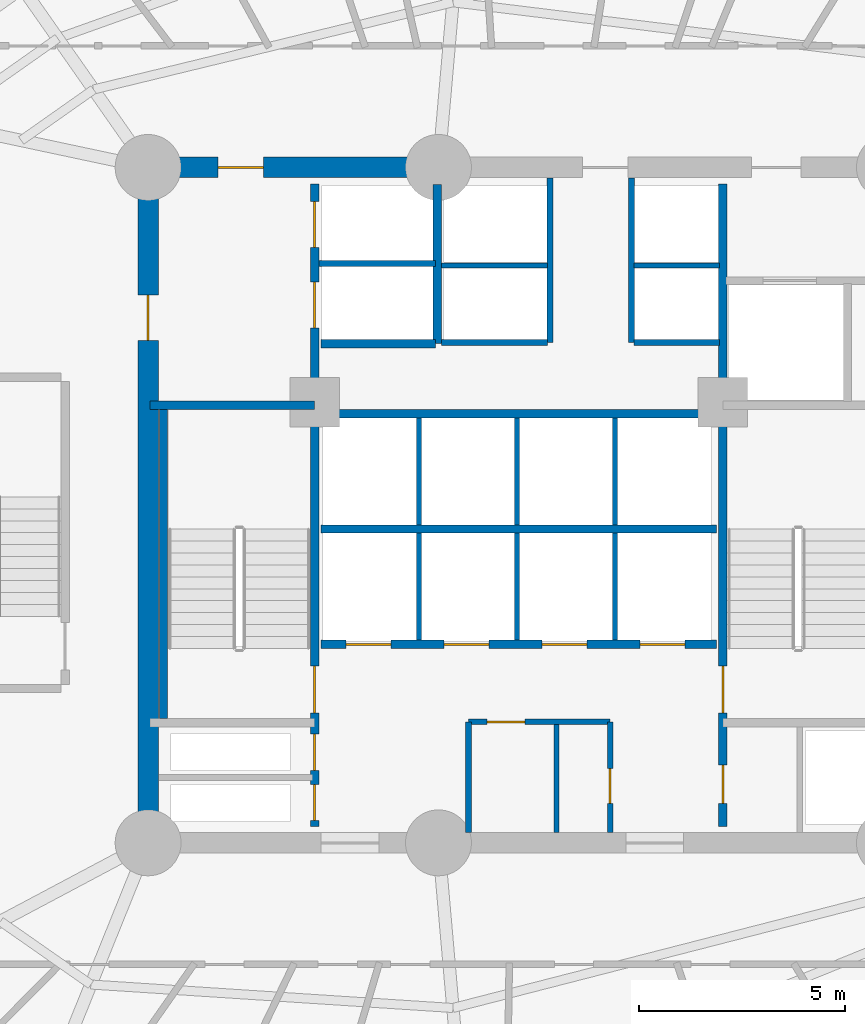
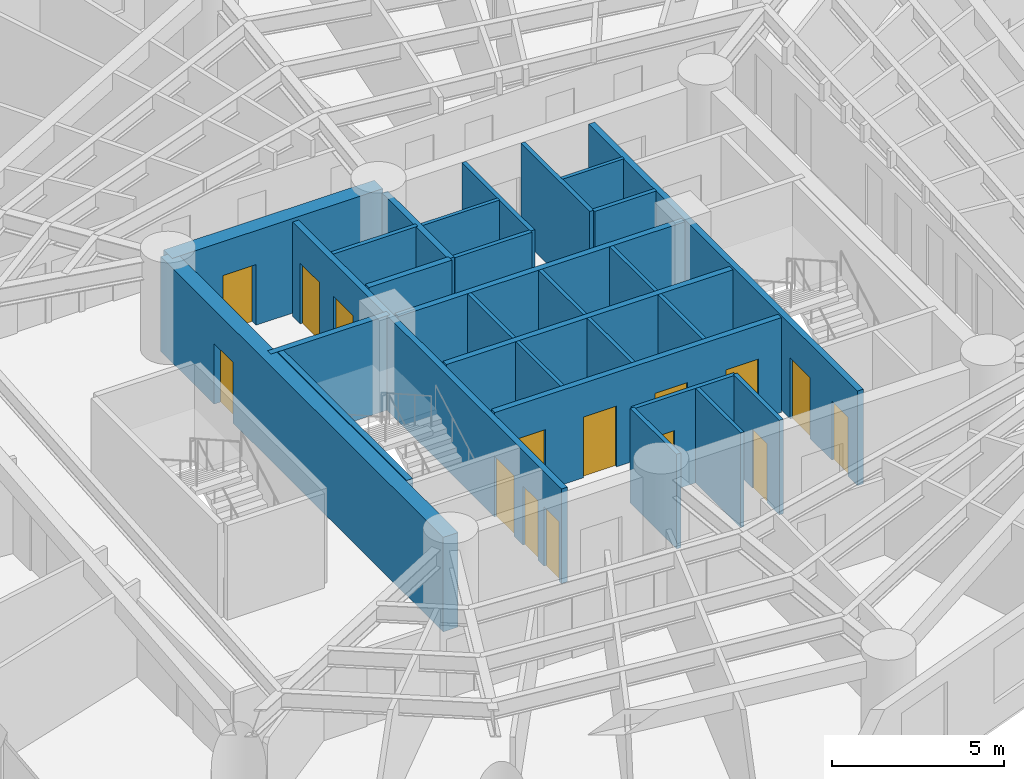
# One storey, part 4 of 8: 28 walls, 15 doors, 15 openings.
"""IFC4 building model written with IfcOpenShell, lengths in metres."""

from ifc_helpers import new_model, si_unit, direction, frame, frame_2d, origin, origin_with_axes, place, context, subcontext, project, spatial, rectangle, extrude, source, transform, mapped, material, layer, layer_set, type_object, element, fill, save


model = new_model("IFC4")

# Units and contexts
model_context = context("Model", 3, precision=1e-05, world=origin(), true_north=direction((0.0, 1.0)))
body_context = subcontext(model_context, "Body", "Model", "MODEL_VIEW")
ifc_project = project(units=[si_unit("LENGTHUNIT", "METRE"), si_unit("AREAUNIT", "SQUARE_METRE"), si_unit("VOLUMEUNIT", "CUBIC_METRE"), si_unit("PLANEANGLEUNIT", "RADIAN"), si_unit("MASSUNIT", "GRAM", prefix="KILO")], contexts=[model_context])

# Site, building, storey
site_placement = place(None, origin())
site = spatial("IfcSite", under=ifc_project, at=site_placement, CompositionType="ELEMENT")
building_placement = place(site_placement, origin())
building = spatial("IfcBuilding", under=site, at=building_placement, Name="Karkom Vertical University and Central Library", CompositionType="ELEMENT")
storey_placement = place(building_placement, frame((0.0, 0.0, 37.300048828125)))
storey = spatial("IfcBuildingStorey", under=building, at=storey_placement, Name="L09", CompositionType="ELEMENT", Elevation=37.300048828125)

# Walls
ifc_material_1 = material(Name="Moisture-resistant drywall 120mm", Category="gypsum")
ifc_layer_1 = layer(ifc_material_1, 0.1201171875)
ifc_layer_set_1 = layer_set([ifc_layer_1], Name="Moisture-resistant drywall 120mm")
wall_type_1 = type_object("IfcWallType", Name="INT-WL-INT-120", PredefinedType="PARTITIONING", material=ifc_layer_set_1)
wall_1_placement = place(storey_placement, frame((29.419921875, 18.556884765625, 0.0), z_axis=(0.0, 0.0, 1.0), x_axis=(0.0, 1.0, 0.0)))
element("IfcWall", 1, at=wall_1_placement, inside=storey, type_object=wall_type_1, Name="Level 09 Interior Partition Wall Level 09-CW-K3-DIV", PredefinedType="PARTITIONING", context=body_context, shape_type="SweptSolid", body=[
    extrude(rectangle(XDim=2.611083984375, YDim=0.1201171875, at=frame_2d((1.3056640625, 0.0))), origin(), (0.0, 0.0, 1.0), 3.349853515625),
])
ifc_layer_2 = layer(ifc_material_1, 0.1201171875)
ifc_layer_set_2 = layer_set([ifc_layer_2], Name="Moisture-resistant drywall 120mm")
wall_type_2 = type_object("IfcWallType", Name="INT-WL-INT-120H", PredefinedType="PARTITIONING", material=ifc_layer_set_2)
for number, where, z_axis, x_axis, name in (
    (2, (26.080078125, 23.219970703125, 0.0), (0.0, 0.0, 1.0), (0.0, 1.0, 0.0), "Level 09 Interior Partition Wall Level 09-CW-PL-DIV1"),
    (3, (28.4599609375, 23.219970703125, 0.0), (0.0, 0.0, 1.0), (0.0, 1.0, 0.0), "Level 09 Interior Partition Wall Level 09-CW-PL-DIV2"),
    (4, (30.840087890625, 23.219970703125, 0.0), (0.0, 0.0, 1.0), (0.0, 1.0, 0.0), "Level 09 Interior Partition Wall Level 09-CW-PL-DIV3"),
    (5, (26.080078125, 26.02001953125, 0.0), (0.0, 0.0, 1.0), (0.0, 1.0, 0.0), "Level 09 Interior Partition Wall Level 09-CW-PM-DIV1"),
    (6, (28.4599609375, 26.02001953125, 0.0), (0.0, 0.0, 1.0), (0.0, 1.0, 0.0), "Level 09 Interior Partition Wall Level 09-CW-PM-DIV2"),
    (7, (30.840087890625, 26.02001953125, 0.0), (0.0, 0.0, 1.0), (0.0, 1.0, 0.0), "Level 09 Interior Partition Wall Level 09-CW-PM-DIV3"),
):
    element("IfcWall", number, at=place(storey_placement, frame(where, z_axis=z_axis, x_axis=x_axis)), inside=storey, type_object=wall_type_2, Name=name, PredefinedType="PARTITIONING", context=body_context, shape_type="SweptSolid", body=[
        extrude(rectangle(XDim=2.60009765625, YDim=0.1201171875, at=frame_2d((1.300048828125, 0.0))), origin(), (0.0, 0.0, 1.0), 3.349853515625),
    ])
wall_2_placement = place(storey_placement, frame((26.6201171875, 32.320068359375, 0.0), z_axis=(0.0, 0.0, 1.0), x_axis=(1.0, 0.0, 0.0)))
element("IfcWall", 8, at=wall_2_placement, inside=storey, type_object=wall_type_2, Name="Level 09 Interior Partition Wall Level 09-CW-PH-MW", PredefinedType="PARTITIONING", context=body_context, shape_type="SweptSolid", body=[
    extrude(rectangle(XDim=2.579833984375, YDim=0.1201171875, at=frame_2d((1.2900390625, 0.0))), origin(), (0.0, 0.0, 1.0), 3.349853515625),
])
wall_3_placement = place(storey_placement, frame((31.300048828125, 32.320068359375, 0.0), z_axis=(0.0, 0.0, 1.0), x_axis=(1.0, 0.0, 0.0)))
element("IfcWall", 9, at=wall_3_placement, inside=storey, type_object=wall_type_2, Name="Level 09 Interior Partition Wall Level 09-CW-PH-ME", PredefinedType="PARTITIONING", context=body_context, shape_type="SweptSolid", body=[
    extrude(rectangle(XDim=2.074951171875, YDim=0.1201171875, at=frame_2d((1.03759765625, 0.0))), origin(), (0.0, 0.0, 1.0), 3.349853515625),
])

# Wall, opening, door
ifc_material_2 = material(Name="Metal-stud gypsum partition 140mm", Category="gypsum")
ifc_layer_3 = layer(ifc_material_2, 0.139892578125)
ifc_layer_set_3 = layer_set([ifc_layer_3], Name="Metal-stud gypsum partition 140mm")
wall_type_3 = type_object("IfcWallType", Name="INT-WL-SUB-140", PredefinedType="PARTITIONING", material=ifc_layer_set_3)
wall_4_placement = place(storey_placement, frame((27.280029296875, 21.239990234375, 0.0), z_axis=(0.0, 0.0, 1.0), x_axis=(1.0, 0.0, 0.0)))
wall_4 = element("IfcWall", 10, at=wall_4_placement, inside=storey, type_object=wall_type_3, Name="Level 09 Interior Partition Wall Level 09-CW-KBAY-N", PredefinedType="PARTITIONING", context=body_context, shape_type="SweptSolid", body=[
    extrude(rectangle(XDim=3.43994140625, YDim=0.139892578125, at=frame_2d((1.719970703125, 0.0))), origin(), (0.0, 0.0, 1.0), 3.349853515625),
])
opening_1_placement = place(wall_4_placement, frame((0.449951171875, 0.0, 0.0)))
opening_1 = element("IfcOpeningElement", 11, at=opening_1_placement, cuts=wall_4, Name="Opening D-SVC1", PredefinedType="OPENING", context=body_context, shape_type="SweptSolid", body=[
    extrude(rectangle(XDim=0.919921875, YDim=2.10009765625, at=frame_2d((0.4599609375, 1.050048828125))), frame((0.0, 0.080078125, 0.0), z_axis=(0.0, -1.0, 0.0), x_axis=(1.0, 0.0, 0.0)), (0.0, 0.0, 1.0), 0.159912109375),
])
ifc_material_3 = material(Name="Painted timber service door", Category="wood")
door_type_1 = type_object("IfcDoorType", Name="INT-DR-SVC1", OperationType="NOTDEFINED", PredefinedType="DOOR", material=ifc_material_3)
shared_shape_1 = source(origin_with_axes(), body_context, "Body", "SweptSolid", [
    extrude(rectangle(XDim=0.919921875, YDim=2.10009765625, at=frame_2d((0.4599609375, 1.050048828125))), frame((0.0, 0.02490234375, 0.0), z_axis=(0.0, -1.0, 0.0), x_axis=(1.0, 0.0, 0.0)), (0.0, 0.0, 1.0), 0.050048828125),
])
door_1_placement = place(opening_1_placement, origin())
door_1 = element("IfcDoor", 12, at=door_1_placement, inside=storey, type_object=door_type_1, Name="Level 09 Copy Room Door", OperationType="SINGLE_SWING_RIGHT", OverallHeight=2.10009765625, OverallWidth=0.919921875, PredefinedType="DOOR", context=body_context, shape_type="MappedRepresentation", body=[
    mapped(shared_shape_1, transform((0.0, 0.0, 0.0), scale=1.0)),
])
fill(opening_1, door_1)

# Wall
wall_5_placement = place(storey_placement, frame((27.280029296875, 18.550048828125, 0.0), z_axis=(0.0, 0.0, 1.0), x_axis=(0.0, 1.0, 0.0)))
element("IfcWall", 13, at=wall_5_placement, inside=storey, type_object=wall_type_3, Name="Level 09 Interior Partition Wall Level 09-CW-KBAY-W", PredefinedType="PARTITIONING", context=body_context, shape_type="SweptSolid", body=[
    extrude(rectangle(XDim=2.68994140625, YDim=0.139892578125, at=frame_2d((1.344970703125, 0.0))), origin(), (0.0, 0.0, 1.0), 3.349853515625),
])

# Wall, opening, door
wall_6_placement = place(storey_placement, frame((30.719970703125, 18.550048828125, 0.0), z_axis=(0.0, 0.0, 1.0), x_axis=(0.0, 1.0, 0.0)))
wall_6 = element("IfcWall", 14, at=wall_6_placement, inside=storey, type_object=wall_type_3, Name="Level 09 Interior Partition Wall Level 09-CW-KBAY-E", PredefinedType="PARTITIONING", context=body_context, shape_type="SweptSolid", body=[
    extrude(rectangle(XDim=2.68994140625, YDim=0.139892578125, at=frame_2d((1.344970703125, 0.0))), origin(), (0.0, 0.0, 1.0), 3.349853515625),
])
opening_2_placement = place(wall_6_placement, frame((0.699951171875, 0.0, 0.0)))
opening_2 = element("IfcOpeningElement", 15, at=opening_2_placement, cuts=wall_6, Name="Opening D-BATH", PredefinedType="OPENING", context=body_context, shape_type="SweptSolid", body=[
    extrude(rectangle(XDim=0.860107421875, YDim=2.10009765625, at=frame_2d((0.43017578125, 1.050048828125))), frame((0.0, 0.080078125, 0.0), z_axis=(0.0, -1.0, 0.0), x_axis=(1.0, 0.0, 0.0)), (0.0, 0.0, 1.0), 0.159912109375),
])
ifc_material_4 = material(Name="Moisture-resistant oak door", Category="wood")
door_type_2 = type_object("IfcDoorType", Name="INT-DR-BATH", OperationType="NOTDEFINED", PredefinedType="DOOR", material=ifc_material_4)
shared_shape_2 = source(origin_with_axes(), body_context, "Body", "SweptSolid", [
    extrude(rectangle(XDim=0.860107421875, YDim=2.10009765625, at=frame_2d((0.43017578125, 1.050048828125))), frame((0.0, 0.02490234375, 0.0), z_axis=(0.0, -1.0, 0.0), x_axis=(1.0, 0.0, 0.0)), (0.0, 0.0, 1.0), 0.050048828125),
])
door_2_placement = place(opening_2_placement, origin())
door_2 = element("IfcDoor", 16, at=door_2_placement, inside=storey, type_object=door_type_2, Name="Level 09 Janitor Door", OperationType="SINGLE_SWING_LEFT", OverallHeight=2.10009765625, OverallWidth=0.860107421875, PredefinedType="DOOR", context=body_context, shape_type="MappedRepresentation", body=[
    mapped(shared_shape_2, transform((0.0, 0.0, 0.0), scale=1.0)),
])
fill(opening_2, door_2)

# Walls
ifc_layer_4 = layer(ifc_material_2, 0.139892578125)
ifc_layer_set_4 = layer_set([ifc_layer_4], Name="Metal-stud gypsum partition 140mm")
wall_type_4 = type_object("IfcWallType", Name="INT-WL-SUB-140H", PredefinedType="PARTITIONING", material=ifc_layer_set_4)
for number, where, z_axis, x_axis, name in (
    (17, (29.260009765625, 30.449951171875, 0.0), (0.0, 0.0, 1.0), (0.0, 1.0, 0.0), "Level 09 Interior Partition Wall Level 09-CW-PH-W"),
    (18, (31.239990234375, 30.449951171875, 0.0), (0.0, 0.0, 1.0), (0.0, 1.0, 0.0), "Level 09 Interior Partition Wall Level 09-CW-PH-E"),
):
    element("IfcWall", number, at=place(storey_placement, frame(where, z_axis=z_axis, x_axis=x_axis)), inside=storey, type_object=wall_type_4, Name=name, PredefinedType="PARTITIONING", context=body_context, shape_type="SweptSolid", body=[
        extrude(rectangle(XDim=3.9931640625, YDim=0.139892578125, at=frame_2d((1.99658203125, 0.0))), origin(), (0.0, 0.0, 1.0), 3.349853515625),
    ])
wall_7_placement = place(storey_placement, frame((26.6201171875, 30.449951171875, 0.0), z_axis=(0.0, 0.0, 1.0), x_axis=(1.0, 0.0, 0.0)))
element("IfcWall", 19, at=wall_7_placement, inside=storey, type_object=wall_type_4, Name="Level 09 Interior Partition Wall Level 09-CW-PH-S1", PredefinedType="PARTITIONING", context=body_context, shape_type="SweptSolid", body=[
    extrude(rectangle(XDim=2.579833984375, YDim=0.139892578125, at=frame_2d((1.2900390625, 0.0))), origin(), (0.0, 0.0, 1.0), 3.349853515625),
])
wall_8_placement = place(storey_placement, frame((31.300048828125, 30.449951171875, 0.0), z_axis=(0.0, 0.0, 1.0), x_axis=(1.0, 0.0, 0.0)))
element("IfcWall", 20, at=wall_8_placement, inside=storey, type_object=wall_type_4, Name="Level 09 Interior Partition Wall Level 09-CW-PH-S2", PredefinedType="PARTITIONING", context=body_context, shape_type="SweptSolid", body=[
    extrude(rectangle(XDim=2.074951171875, YDim=0.139892578125, at=frame_2d((1.03759765625, 0.0))), origin(), (0.0, 0.0, 1.0), 3.349853515625),
])
ifc_layer_5 = layer(ifc_material_2, 0.139892578125)
ifc_layer_set_5 = layer_set([ifc_layer_5], Name="Metal-stud gypsum partition 140mm")
wall_type_5 = type_object("IfcWallType", Name="INT-WL-SUB-140X", PredefinedType="PARTITIONING", material=ifc_layer_set_5)
wall_9_placement = place(storey_placement, frame((23.652099609375, 32.3701171875, 0.0), z_axis=(0.0, 0.0, 1.0), x_axis=(1.0, 0.0, 0.0)))
element("IfcWall", 21, at=wall_9_placement, inside=storey, type_object=wall_type_5, Name="Level 09 Interior Partition Wall Level 09-CW-FFL-M", PredefinedType="PARTITIONING", context=body_context, shape_type="SweptSolid", body=[
    extrude(rectangle(XDim=2.827880859375, YDim=0.139892578125, at=frame_2d((1.4140625, 0.0))), origin(), (0.0, 0.0, 1.0), 3.349853515625),
])

# Wall, opening, door
ifc_material_5 = material(Name="Concrete C50/60", Category="concrete")
ifc_layer_6 = layer(ifc_material_5, 0.5)
ifc_layer_set_6 = layer_set([ifc_layer_6], Name="Concrete C50/60")
wall_type_6 = type_object("IfcWallType", Name="STR-WL-CW-500", PredefinedType="SHEAR", material=ifc_layer_set_6)
wall_10_placement = place(storey_placement, frame((26.550048828125, 34.699951171875, 0.0), z_axis=(0.0, 0.0, 1.0), x_axis=(-1.0, 0.0, 0.0)))
wall_10 = element("IfcWall", 22, at=wall_10_placement, inside=storey, type_object=wall_type_6, Name="Level 09 Central Core Shear Wall NW2", PredefinedType="SHEAR", context=body_context, shape_type="SweptSolid", body=[
    extrude(rectangle(XDim=7.050048828125, YDim=0.5, at=frame_2d((3.52490234375, 0.0))), origin(), (0.0, 0.0, 1.0), 3.349853515625),
])
opening_3_placement = place(wall_10_placement, frame((4.25, 0.0, 0.0)))
opening_3 = element("IfcOpeningElement", 23, at=opening_3_placement, cuts=wall_10, Name="Opening FD-FFL", PredefinedType="OPENING", context=body_context, shape_type="SweptSolid", body=[
    extrude(rectangle(XDim=1.10009765625, YDim=2.14990234375, at=frame_2d((0.550048828125, 1.074951171875))), frame((0.0, 0.260009765625, 0.0), z_axis=(0.0, -1.0, 0.0), x_axis=(1.0, 0.0, 0.0)), (0.0, 0.0, 1.0), 0.52001953125),
])
ifc_material_6 = material(Name="Painted steel smoke-seal fire door", Category="steel")
door_type_3 = type_object("IfcDoorType", Name="INT-DR-FFL", OperationType="NOTDEFINED", PredefinedType="DOOR", material=ifc_material_6)
shared_shape_3 = source(origin_with_axes(), body_context, "Body", "SweptSolid", [
    extrude(rectangle(XDim=1.10009765625, YDim=2.14990234375, at=frame_2d((0.550048828125, 1.074951171875))), frame((0.0, 0.02490234375, 0.0), z_axis=(0.0, -1.0, 0.0), x_axis=(1.0, 0.0, 0.0)), (0.0, 0.0, 1.0), 0.050048828125),
])
door_3_placement = place(opening_3_placement, origin())
door_3 = element("IfcDoor", 24, at=door_3_placement, inside=storey, type_object=door_type_3, Name="Level 09 Firefighting Lobby Door", OperationType="SINGLE_SWING_LEFT", OverallHeight=2.14990234375, OverallWidth=1.10009765625, PredefinedType="DOOR", context=body_context, shape_type="MappedRepresentation", body=[
    mapped(shared_shape_3, transform((0.0, 0.0, 0.0), scale=1.0)),
])
fill(opening_3, door_3)

wall_11_placement = place(storey_placement, frame((19.5, 34.699951171875, 0.0), z_axis=(0.0, 0.0, 1.0), x_axis=(0.0, -1.0, 0.0)))
wall_11 = element("IfcWall", 25, at=wall_11_placement, inside=storey, type_object=wall_type_6, Name="Level 09 Central Core Shear Wall WW", PredefinedType="SHEAR", context=body_context, shape_type="SweptSolid", body=[
    extrude(rectangle(XDim=16.39990234375, YDim=0.5, at=frame_2d((8.199951171875, 0.0))), origin(), (0.0, 0.0, 1.0), 3.349853515625),
])
opening_4_placement = place(wall_11_placement, frame((3.10009765625, 0.0, 0.0)))
opening_4 = element("IfcOpeningElement", 26, at=opening_4_placement, cuts=wall_11, Name="Opening FD-FFL", PredefinedType="OPENING", context=body_context, shape_type="SweptSolid", body=[
    extrude(rectangle(XDim=1.10009765625, YDim=2.14990234375, at=frame_2d((0.550048828125, 1.074951171875))), frame((0.0, 0.260009765625, 0.0), z_axis=(0.0, -1.0, 0.0), x_axis=(1.0, 0.0, 0.0)), (0.0, 0.0, 1.0), 0.52001953125),
])
door_4_placement = place(opening_4_placement, origin())
door_4 = element("IfcDoor", 27, at=door_4_placement, inside=storey, type_object=door_type_3, Name="Level 09 West Corridor Firefighting Lobby Door", OperationType="SINGLE_SWING_RIGHT", OverallHeight=2.14990234375, OverallWidth=1.10009765625, PredefinedType="DOOR", context=body_context, shape_type="MappedRepresentation", body=[
    mapped(shared_shape_3, transform((0.0, 0.0, 0.0), scale=1.0)),
])
fill(opening_4, door_4)

# Wall, openings, doors
ifc_material_7 = material(Name="Concrete C45/55", Category="concrete")
ifc_layer_7 = layer(ifc_material_7, 0.199951171875)
ifc_layer_set_7 = layer_set([ifc_layer_7], Name="Concrete C45/55")
wall_type_7 = type_object("IfcWallType", Name="STR-WL-ST-200", PredefinedType="SHEAR", material=ifc_layer_set_7)
wall_12_placement = place(storey_placement, frame((23.544921875, 18.699951171875, 0.0), z_axis=(0.0, 0.0, 1.0), x_axis=(0.0, 1.0, 0.0)))
wall_12 = element("IfcWall", 28, at=wall_12_placement, inside=storey, type_object=wall_type_7, Name="Level 09 Core Shaft Wall Level 09-CW-ST1-E", PredefinedType="SHEAR", context=body_context, shape_type="SweptSolid", body=[
    extrude(rectangle(XDim=15.60009765625, YDim=0.199951171875, at=frame_2d((7.800048828125, 0.0))), origin(), (0.0, 0.0, 1.0), 3.349853515625),
])
opening_5_placement = place(wall_12_placement, frame((2.75, 0.0, 0.0)))
opening_5 = element("IfcOpeningElement", 29, at=opening_5_placement, cuts=wall_12, Name="Opening FD-ST1", PredefinedType="OPENING", context=body_context, shape_type="SweptSolid", body=[
    extrude(rectangle(XDim=1.14990234375, YDim=2.14990234375, at=frame_2d((0.574951171875, 1.074951171875))), frame((0.0, 0.10986328125, 0.0), z_axis=(0.0, -1.0, 0.0), x_axis=(1.0, 0.0, 0.0)), (0.0, 0.0, 1.0), 0.219970703125),
])
opening_6_placement = place(wall_12_placement, frame((0.139892578125, 0.0, 0.0)))
opening_6 = element("IfcOpeningElement", 30, at=opening_6_placement, cuts=wall_12, Name="Opening FD-RIS", PredefinedType="OPENING", context=body_context, shape_type="SweptSolid", body=[
    extrude(rectangle(XDim=0.8798828125, YDim=2.10009765625, at=frame_2d((0.43994140625, 1.050048828125))), frame((0.0, 0.10986328125, 0.0), z_axis=(0.0, -1.0, 0.0), x_axis=(1.0, 0.0, 0.0)), (0.0, 0.0, 1.0), 0.219970703125),
])
opening_7_placement = place(wall_12_placement, frame((1.360107421875, 0.0, 0.0)))
opening_7 = element("IfcOpeningElement", 31, at=opening_7_placement, cuts=wall_12, Name="Opening FD-RIS", PredefinedType="OPENING", context=body_context, shape_type="SweptSolid", body=[
    extrude(rectangle(XDim=0.8798828125, YDim=2.10009765625, at=frame_2d((0.43994140625, 1.050048828125))), frame((0.0, 0.10986328125, 0.0), z_axis=(0.0, -1.0, 0.0), x_axis=(1.0, 0.0, 0.0)), (0.0, 0.0, 1.0), 0.219970703125),
])
opening_8_placement = place(wall_12_placement, frame((12.10009765625, 0.0, 0.0)))
opening_8 = element("IfcOpeningElement", 32, at=opening_8_placement, cuts=wall_12, Name="Opening LD-FFL", PredefinedType="OPENING", context=body_context, shape_type="SweptSolid", body=[
    extrude(rectangle(XDim=1.1201171875, YDim=2.14990234375, at=frame_2d((0.56005859375, 1.074951171875))), frame((0.0, 0.10986328125, 0.0), z_axis=(0.0, -1.0, 0.0), x_axis=(1.0, 0.0, 0.0)), (0.0, 0.0, 1.0), 0.219970703125),
])
opening_9_placement = place(wall_12_placement, frame((14.050048828125, 0.0, 0.0)))
opening_9 = element("IfcOpeningElement", 33, at=opening_9_placement, cuts=wall_12, Name="Opening LD-FFL", PredefinedType="OPENING", context=body_context, shape_type="SweptSolid", body=[
    extrude(rectangle(XDim=1.1201171875, YDim=2.14990234375, at=frame_2d((0.56005859375, 1.074951171875))), frame((0.0, 0.10986328125, 0.0), z_axis=(0.0, -1.0, 0.0), x_axis=(1.0, 0.0, 0.0)), (0.0, 0.0, 1.0), 0.219970703125),
])
ifc_material_8 = material(Name="Painted steel acoustic fire door", Category="steel")
door_type_4 = type_object("IfcDoorType", Name="INT-DR-ST1", OperationType="NOTDEFINED", PredefinedType="DOOR", material=ifc_material_8)
shared_shape_4 = source(origin_with_axes(), body_context, "Body", "SweptSolid", [
    extrude(rectangle(XDim=1.14990234375, YDim=2.14990234375, at=frame_2d((0.574951171875, 1.074951171875))), frame((0.0, 0.02490234375, 0.0), z_axis=(0.0, -1.0, 0.0), x_axis=(1.0, 0.0, 0.0)), (0.0, 0.0, 1.0), 0.050048828125),
])
door_5_placement = place(opening_5_placement, origin())
door_5 = element("IfcDoor", 34, at=door_5_placement, inside=storey, type_object=door_type_4, Name="Level 09 Stair ST-1 Fire Door", OperationType="SINGLE_SWING_LEFT", OverallHeight=2.14990234375, OverallWidth=1.14990234375, PredefinedType="DOOR", context=body_context, shape_type="MappedRepresentation", body=[
    mapped(shared_shape_4, transform((0.0, 0.0, 0.0), scale=1.0)),
])
fill(opening_5, door_5)
ifc_material_9 = material(Name="Painted steel riser access door", Category="steel")
door_type_5 = type_object("IfcDoorType", Name="INT-DR-RIS", OperationType="NOTDEFINED", PredefinedType="DOOR", material=ifc_material_9)
shared_shape_5 = source(origin_with_axes(), body_context, "Body", "SweptSolid", [
    extrude(rectangle(XDim=0.8798828125, YDim=2.10009765625, at=frame_2d((0.43994140625, 1.050048828125))), frame((0.0, 0.02490234375, 0.0), z_axis=(0.0, -1.0, 0.0), x_axis=(1.0, 0.0, 0.0)), (0.0, 0.0, 1.0), 0.050048828125),
])
door_6_placement = place(opening_6_placement, origin())
door_6 = element("IfcDoor", 35, at=door_6_placement, inside=storey, type_object=door_type_5, Name="Level 09 Electrical Riser Access Door", OperationType="SINGLE_SWING_LEFT", OverallHeight=2.10009765625, OverallWidth=0.8798828125, PredefinedType="DOOR", context=body_context, shape_type="MappedRepresentation", body=[
    mapped(shared_shape_5, transform((0.0, 0.0, 0.0), scale=1.0)),
])
fill(opening_6, door_6)
door_7_placement = place(opening_7_placement, origin())
door_7 = element("IfcDoor", 36, at=door_7_placement, inside=storey, type_object=door_type_5, Name="Level 09 Telecom Riser Access Door", OperationType="SINGLE_SWING_RIGHT", OverallHeight=2.10009765625, OverallWidth=0.8798828125, PredefinedType="DOOR", context=body_context, shape_type="MappedRepresentation", body=[
    mapped(shared_shape_5, transform((0.0, 0.0, 0.0), scale=1.0)),
])
fill(opening_7, door_7)
ifc_material_10 = material(Name="Fire-rated stainless-steel landing door", Category="steel")
door_type_6 = type_object("IfcDoorType", Name="INT-DR-LD-FFL", OperationType="SLIDING_TO_LEFT", PredefinedType="DOOR", material=ifc_material_10)
shared_shape_6 = source(origin_with_axes(), body_context, "Body", "SweptSolid", [
    extrude(rectangle(XDim=1.1201171875, YDim=2.14990234375, at=frame_2d((0.56005859375, 1.074951171875))), frame((0.0, 0.02490234375, 0.0), z_axis=(0.0, -1.0, 0.0), x_axis=(1.0, 0.0, 0.0)), (0.0, 0.0, 1.0), 0.050048828125),
])
door_8_placement = place(opening_8_placement, origin())
door_8 = element("IfcDoor", 37, at=door_8_placement, inside=storey, type_object=door_type_6, Name="Level 09 Firefighting Lift FFL-1 Landing Door", OperationType="SLIDING_TO_LEFT", OverallHeight=2.14990234375, OverallWidth=1.1201171875, PredefinedType="DOOR", context=body_context, shape_type="MappedRepresentation", body=[
    mapped(shared_shape_6, transform((0.0, 0.0, 0.0), scale=1.0)),
])
fill(opening_8, door_8)
door_9_placement = place(opening_9_placement, origin())
door_9 = element("IfcDoor", 38, at=door_9_placement, inside=storey, type_object=door_type_6, Name="Level 09 Firefighting Lift FFL-2 Landing Door", OperationType="SLIDING_TO_RIGHT", OverallHeight=2.14990234375, OverallWidth=1.1201171875, PredefinedType="DOOR", context=body_context, shape_type="MappedRepresentation", body=[
    mapped(shared_shape_6, transform((0.0, 0.0, 0.0), scale=1.0)),
])
fill(opening_9, door_9)

wall_13_placement = place(storey_placement, frame((33.455078125, 18.699951171875, 0.0), z_axis=(0.0, 0.0, 1.0), x_axis=(0.0, 1.0, 0.0)))
wall_13 = element("IfcWall", 39, at=wall_13_placement, inside=storey, type_object=wall_type_7, Name="Level 09 Core Shaft Wall Level 09-CW-ST2-W", PredefinedType="SHEAR", context=body_context, shape_type="SweptSolid", body=[
    extrude(rectangle(XDim=15.60009765625, YDim=0.199951171875, at=frame_2d((7.800048828125, 0.0))), origin(), (0.0, 0.0, 1.0), 3.349853515625),
])
opening_10_placement = place(wall_13_placement, frame((2.75, 0.0, 0.0)))
opening_10 = element("IfcOpeningElement", 40, at=opening_10_placement, cuts=wall_13, Name="Opening FD-ST1", PredefinedType="OPENING", context=body_context, shape_type="SweptSolid", body=[
    extrude(rectangle(XDim=1.14990234375, YDim=2.14990234375, at=frame_2d((0.574951171875, 1.074951171875))), frame((0.0, 0.10986328125, 0.0), z_axis=(0.0, -1.0, 0.0), x_axis=(1.0, 0.0, 0.0)), (0.0, 0.0, 1.0), 0.219970703125),
])
opening_11_placement = place(wall_13_placement, frame((0.550048828125, 0.0, 0.0)))
opening_11 = element("IfcOpeningElement", 41, at=opening_11_placement, cuts=wall_13, Name="Opening D-WC1", PredefinedType="OPENING", context=body_context, shape_type="SweptSolid", body=[
    extrude(rectangle(XDim=0.93994140625, YDim=2.10009765625, at=frame_2d((0.469970703125, 1.050048828125))), frame((0.0, 0.10986328125, 0.0), z_axis=(0.0, -1.0, 0.0), x_axis=(1.0, 0.0, 0.0)), (0.0, 0.0, 1.0), 0.219970703125),
])
door_10_placement = place(opening_10_placement, origin())
door_10 = element("IfcDoor", 42, at=door_10_placement, inside=storey, type_object=door_type_4, Name="Level 09 Stair ST-2 Fire Door", OperationType="SINGLE_SWING_RIGHT", OverallHeight=2.14990234375, OverallWidth=1.14990234375, PredefinedType="DOOR", context=body_context, shape_type="MappedRepresentation", body=[
    mapped(shared_shape_4, transform((0.0, 0.0, 0.0), scale=1.0)),
])
fill(opening_10, door_10)
ifc_material_11 = material(Name="Fire-rated laminate moisture-resistant door", Category="wood")
door_type_7 = type_object("IfcDoorType", Name="INT-DR-WC1", OperationType="NOTDEFINED", PredefinedType="DOOR", material=ifc_material_11)
shared_shape_7 = source(origin_with_axes(), body_context, "Body", "SweptSolid", [
    extrude(rectangle(XDim=0.93994140625, YDim=2.10009765625, at=frame_2d((0.469970703125, 1.050048828125))), frame((0.0, 0.02490234375, 0.0), z_axis=(0.0, -1.0, 0.0), x_axis=(1.0, 0.0, 0.0)), (0.0, 0.0, 1.0), 0.050048828125),
])
door_11_placement = place(opening_11_placement, origin())
door_11 = element("IfcDoor", 43, at=door_11_placement, inside=storey, type_object=door_type_7, Name="Level 09 Accessible WC Door", OperationType="SINGLE_SWING_LEFT", OverallHeight=2.10009765625, OverallWidth=0.93994140625, PredefinedType="DOOR", context=body_context, shape_type="MappedRepresentation", body=[
    mapped(shared_shape_7, transform((0.0, 0.0, 0.0), scale=1.0)),
])
fill(opening_11, door_11)

wall_14_placement = place(storey_placement, frame((23.699951171875, 23.1201171875, 0.0), z_axis=(0.0, 0.0, 1.0), x_axis=(1.0, 0.0, 0.0)))
wall_14 = element("IfcWall", 44, at=wall_14_placement, inside=storey, type_object=wall_type_7, Name="Level 09 Core Shaft Wall Level 09-CW-B1-S", PredefinedType="SHEAR", context=body_context, shape_type="SweptSolid", body=[
    extrude(rectangle(XDim=9.60009765625, YDim=0.199951171875, at=frame_2d((4.800048828125, 0.0))), origin(), (0.0, 0.0, 1.0), 3.349853515625),
])
opening_12_placement = place(wall_14_placement, frame((0.60009765625, 0.0, 0.0)))
opening_12 = element("IfcOpeningElement", 45, at=opening_12_placement, cuts=wall_14, Name="Opening LD-PAX", PredefinedType="OPENING", context=body_context, shape_type="SweptSolid", body=[
    extrude(rectangle(XDim=1.10009765625, YDim=2.14990234375, at=frame_2d((0.550048828125, 1.074951171875))), frame((0.0, 0.10986328125, 0.0), z_axis=(0.0, -1.0, 0.0), x_axis=(1.0, 0.0, 0.0)), (0.0, 0.0, 1.0), 0.219970703125),
])
opening_13_placement = place(wall_14_placement, frame((2.97998046875, 0.0, 0.0)))
opening_13 = element("IfcOpeningElement", 46, at=opening_13_placement, cuts=wall_14, Name="Opening LD-PAX", PredefinedType="OPENING", context=body_context, shape_type="SweptSolid", body=[
    extrude(rectangle(XDim=1.10009765625, YDim=2.14990234375, at=frame_2d((0.550048828125, 1.074951171875))), frame((0.0, 0.10986328125, 0.0), z_axis=(0.0, -1.0, 0.0), x_axis=(1.0, 0.0, 0.0)), (0.0, 0.0, 1.0), 0.219970703125),
])
opening_14_placement = place(wall_14_placement, frame((5.360107421875, 0.0, 0.0)))
opening_14 = element("IfcOpeningElement", 47, at=opening_14_placement, cuts=wall_14, Name="Opening LD-PAX", PredefinedType="OPENING", context=body_context, shape_type="SweptSolid", body=[
    extrude(rectangle(XDim=1.10009765625, YDim=2.14990234375, at=frame_2d((0.550048828125, 1.074951171875))), frame((0.0, 0.10986328125, 0.0), z_axis=(0.0, -1.0, 0.0), x_axis=(1.0, 0.0, 0.0)), (0.0, 0.0, 1.0), 0.219970703125),
])
opening_15_placement = place(wall_14_placement, frame((7.739990234375, 0.0, 0.0)))
opening_15 = element("IfcOpeningElement", 48, at=opening_15_placement, cuts=wall_14, Name="Opening LD-PAX", PredefinedType="OPENING", context=body_context, shape_type="SweptSolid", body=[
    extrude(rectangle(XDim=1.10009765625, YDim=2.14990234375, at=frame_2d((0.550048828125, 1.074951171875))), frame((0.0, 0.10986328125, 0.0), z_axis=(0.0, -1.0, 0.0), x_axis=(1.0, 0.0, 0.0)), (0.0, 0.0, 1.0), 0.219970703125),
])
ifc_material_12 = material(Name="Brushed stainless-steel landing door", Category="steel")
door_type_8 = type_object("IfcDoorType", Name="INT-DR-LD-PAX", OperationType="SLIDING_TO_LEFT", PredefinedType="DOOR", material=ifc_material_12)
door_12_placement = place(opening_12_placement, origin())
door_12 = element("IfcDoor", 49, at=door_12_placement, inside=storey, type_object=door_type_8, Name="Level 09 Lift PL-1 Landing Door", OperationType="SLIDING_TO_LEFT", OverallHeight=2.14990234375, OverallWidth=1.10009765625, PredefinedType="DOOR", context=body_context, shape_type="MappedRepresentation", body=[
    mapped(shared_shape_3, transform((0.0, 0.0, 0.0), scale=1.0)),
])
fill(opening_12, door_12)
door_13_placement = place(opening_13_placement, origin())
door_13 = element("IfcDoor", 50, at=door_13_placement, inside=storey, type_object=door_type_8, Name="Level 09 Lift PL-2 Landing Door", OperationType="SLIDING_TO_RIGHT", OverallHeight=2.14990234375, OverallWidth=1.10009765625, PredefinedType="DOOR", context=body_context, shape_type="MappedRepresentation", body=[
    mapped(shared_shape_3, transform((0.0, 0.0, 0.0), scale=1.0)),
])
fill(opening_13, door_13)
door_14_placement = place(opening_14_placement, origin())
door_14 = element("IfcDoor", 51, at=door_14_placement, inside=storey, type_object=door_type_8, Name="Level 09 Lift PL-3 Landing Door", OperationType="SLIDING_TO_LEFT", OverallHeight=2.14990234375, OverallWidth=1.10009765625, PredefinedType="DOOR", context=body_context, shape_type="MappedRepresentation", body=[
    mapped(shared_shape_3, transform((0.0, 0.0, 0.0), scale=1.0)),
])
fill(opening_14, door_14)
door_15_placement = place(opening_15_placement, origin())
door_15 = element("IfcDoor", 52, at=door_15_placement, inside=storey, type_object=door_type_8, Name="Level 09 Lift PL-4 Landing Door", OperationType="SLIDING_TO_RIGHT", OverallHeight=2.14990234375, OverallWidth=1.10009765625, PredefinedType="DOOR", context=body_context, shape_type="MappedRepresentation", body=[
    mapped(shared_shape_3, transform((0.0, 0.0, 0.0), scale=1.0)),
])
fill(opening_15, door_15)

# Walls
for number, where, z_axis, x_axis, name in (
    (53, (23.699951171875, 25.919921875, 0.0), (0.0, 0.0, 1.0), (1.0, 0.0, 0.0), "Level 09 Core Shaft Wall Level 09-CW-B1-N"),
    (54, (23.699951171875, 28.719970703125, 0.0), (0.0, 0.0, 1.0), (1.0, 0.0, 0.0), "Level 09 Core Shaft Wall Level 09-CW-B2-N"),
):
    element("IfcWall", number, at=place(storey_placement, frame(where, z_axis=z_axis, x_axis=x_axis)), inside=storey, type_object=wall_type_7, Name=name, PredefinedType="SHEAR", context=body_context, shape_type="SweptSolid", body=[
        extrude(rectangle(XDim=9.60009765625, YDim=0.199951171875, at=frame_2d((4.800048828125, 0.0))), origin(), (0.0, 0.0, 1.0), 3.349853515625),
    ])
wall_15_placement = place(storey_placement, frame((19.875, 21.320068359375, 0.0), z_axis=(0.0, 0.0, 1.0), x_axis=(0.0, 1.0, 0.0)))
element("IfcWall", 55, at=wall_15_placement, inside=storey, type_object=wall_type_7, Name="Level 09 Core Shaft Wall Level 09-CW-ST1-W", PredefinedType="SHEAR", context=body_context, shape_type="SweptSolid", body=[
    extrude(rectangle(XDim=7.5, YDim=0.199951171875, at=frame_2d((3.75, 0.0))), origin(), (0.0, 0.0, 1.0), 3.349853515625),
])
wall_16_placement = place(storey_placement, frame((19.550048828125, 28.925048828125, 0.0), z_axis=(0.0, 0.0, 1.0), x_axis=(1.0, 0.0, 0.0)))
element("IfcWall", 56, at=wall_16_placement, inside=storey, type_object=wall_type_7, Name="Level 09 Core Shaft Wall Level 09-CW-ST1-N", PredefinedType="SHEAR", context=body_context, shape_type="SweptSolid", body=[
    extrude(rectangle(XDim=3.994873046875, YDim=0.199951171875, at=frame_2d((1.99755859375, 0.0))), origin(), (0.0, 0.0, 1.0), 3.349853515625),
])
wall_17_placement = place(storey_placement, frame((26.52001953125, 30.419921875, 0.0), z_axis=(0.0, 0.0, 1.0), x_axis=(0.0, 1.0, 0.0)))
element("IfcWall", 57, at=wall_17_placement, inside=storey, type_object=wall_type_7, Name="Level 09 Core Shaft Wall Level 09-CW-FFL-E", PredefinedType="SHEAR", context=body_context, shape_type="SweptSolid", body=[
    extrude(rectangle(XDim=3.860107421875, YDim=0.199951171875, at=frame_2d((1.93017578125, 0.0))), origin(), (0.0, 0.0, 1.0), 3.349853515625),
])
wall_18_placement = place(storey_placement, frame((23.699951171875, 30.419921875, 0.0), z_axis=(0.0, 0.0, 1.0), x_axis=(1.0, 0.0, 0.0)))
element("IfcWall", 58, at=wall_18_placement, inside=storey, type_object=wall_type_7, Name="Level 09 Core Shaft Wall Level 09-CW-FFL-S", PredefinedType="SHEAR", context=body_context, shape_type="SweptSolid", body=[
    extrude(rectangle(XDim=2.780029296875, YDim=0.199951171875, at=frame_2d((1.39013671875, 0.0))), origin(), (0.0, 0.0, 1.0), 3.349853515625),
])

save(model, "model.ifc")
